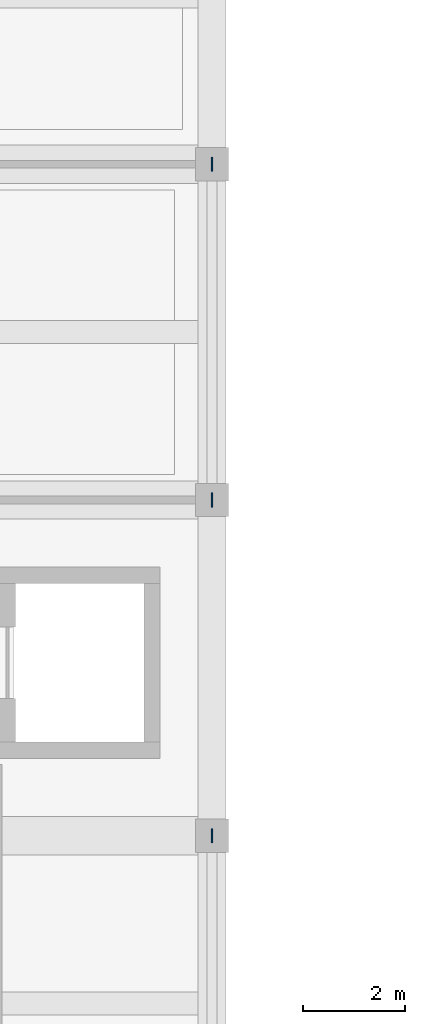
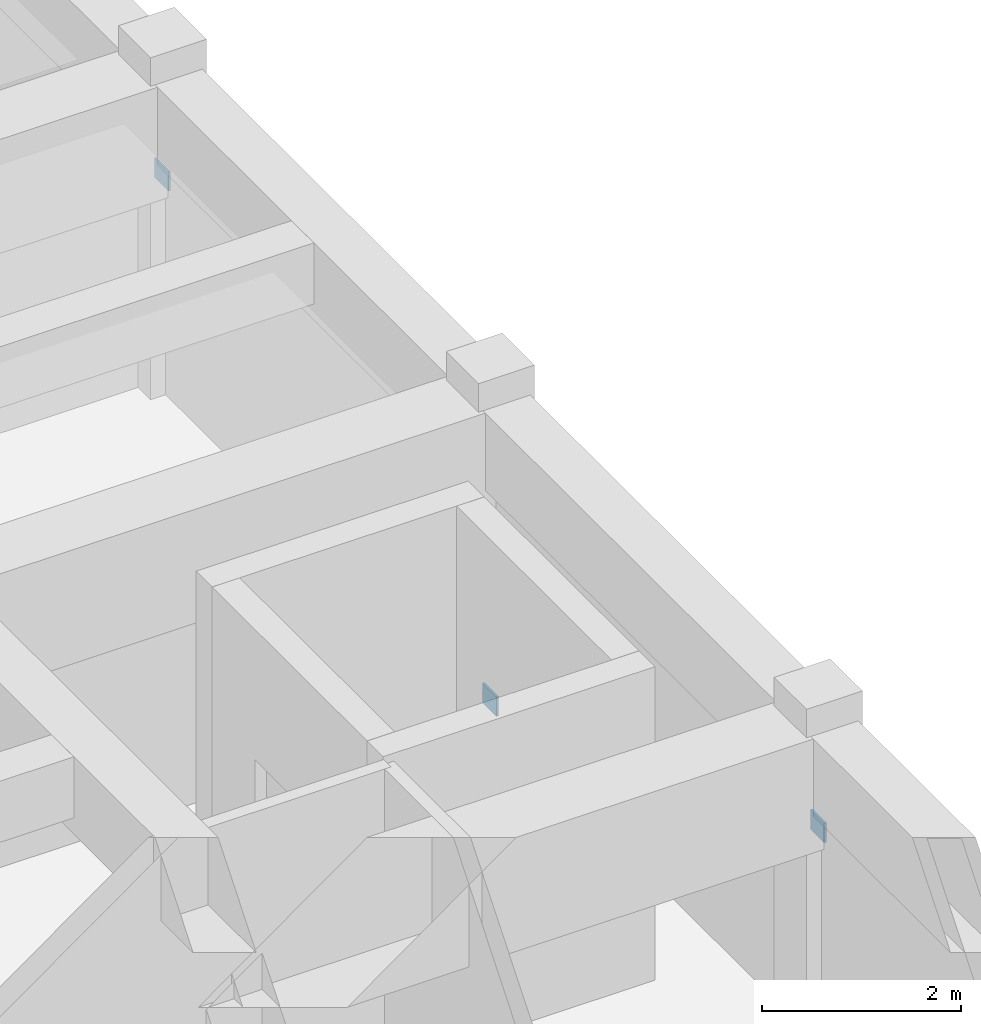
# One storey, part 119 of 147: 3 plates.
"""IFC4 building model written with IfcOpenShell, lengths in metres."""

from ifc_helpers import new_model, si_unit, direction, frame, origin, origin_2d, place, context, subcontext, project, spatial, rectangle, extrude, material, layer, layer_set, type_object, element, save


model = new_model("IFC4")

# Units and contexts
model_context = context("Model", 3, precision=1e-05, world=origin(), true_north=direction((0.0, 1.0)))
body_context = subcontext(model_context, "Body", "Model", "MODEL_VIEW")
ifc_project = project(units=[si_unit("LENGTHUNIT", "METRE"), si_unit("AREAUNIT", "SQUARE_METRE"), si_unit("VOLUMEUNIT", "CUBIC_METRE"), si_unit("PLANEANGLEUNIT", "RADIAN"), si_unit("MASSUNIT", "GRAM", prefix="KILO")], contexts=[model_context])

# Site, building, storey
site_placement = place(None, origin())
site = spatial("IfcSite", under=ifc_project, at=site_placement, CompositionType="ELEMENT")
building_placement = place(site_placement, origin())
building = spatial("IfcBuilding", under=site, at=building_placement, Name="Karori Crest Natural Sciences Institute", CompositionType="ELEMENT")
storey_placement = place(building_placement, frame((0.0, 0.0, 9.10009765625)))
storey = spatial("IfcBuildingStorey", under=building, at=storey_placement, Name="L02", CompositionType="ELEMENT", Elevation=9.10009765625)

# Plates
ifc_material = material(Name="Structural steel AS/NZS 3679.1 Grade 350", Category="steel")
ifc_layer = layer(ifc_material, 0.02490234375, Name="Structural steel AS/NZS 3679.1 Grade 350")
ifc_layer_set = layer_set([ifc_layer], Name="Structural steel AS/NZS 3679.1 Grade 350")
plate_type = type_object("IfcPlateType", Name="PLT-06-EL", PredefinedType="SHEET", material=ifc_layer_set)
for number, where, z_axis, x_axis, name in (
    (1, (27.199951171875, 101.60009765625, 2.33984375), (0.0, 0.0, 1.0), (0.0, 1.0, 0.0), "Brace gusset plate EP-0371"),
    (2, (27.199951171875, 108.199951171875, -0.10986328125), (0.0, 0.0, 1.0), (0.0, 1.0, 0.0), "Brace gusset plate EP-0372"),
    (3, (27.199951171875, 114.800048828125, 2.33984375), (0.0, 0.0, 1.0), (0.0, 1.0, 0.0), "Brace gusset plate EP-0373"),
):
    element("IfcPlate", number, at=place(storey_placement, frame(where, z_axis=z_axis, x_axis=x_axis)), inside=storey, type_object=plate_type, Name=name, PredefinedType="SHEET", context=body_context, shape_type="SweptSolid", body=[
        extrude(rectangle(XDim=0.280029296875, YDim=0.02490234375, at=origin_2d()), origin(), (0.0, 0.0, 1.0), 0.239990234375),
    ])

save(model, "model.ifc")
